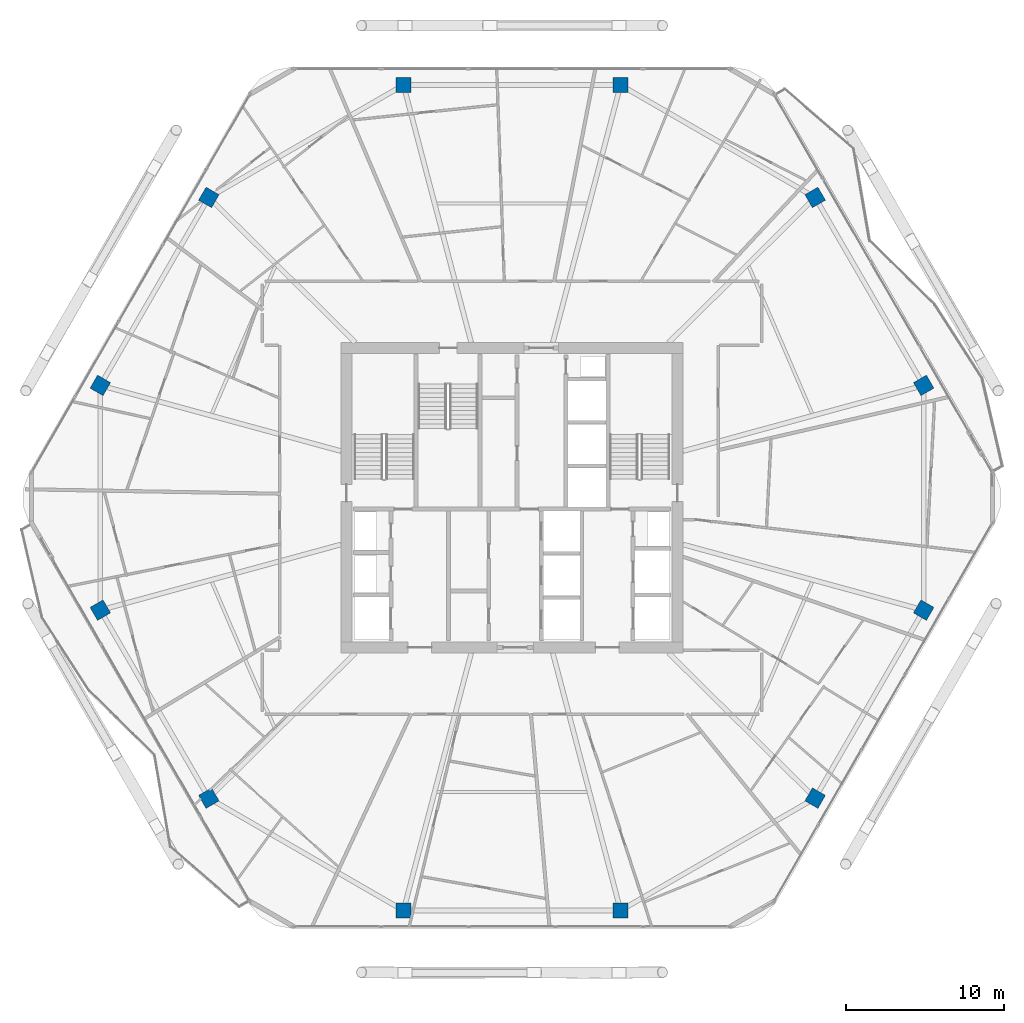
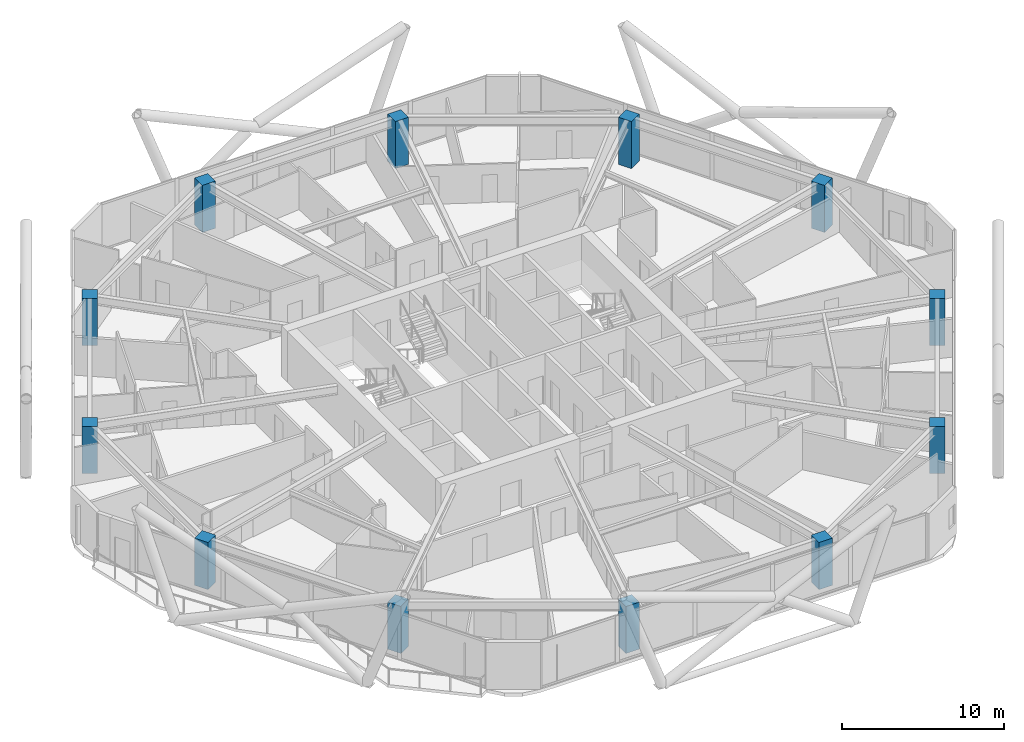
# One storey, part 1 of 27: 12 columns.
"""IFC4 building model written with IfcOpenShell, lengths in metres."""

from ifc_helpers import new_model, si_unit, direction, frame, origin, origin_2d, place, context, subcontext, project, spatial, rectangle, extrude, material, material_profile, profile_set, type_object, element, save


model = new_model("IFC4")

# Units and contexts
model_context = context("Model", 3, precision=1e-05, world=origin(), true_north=direction((0.0, 1.0)))
body_context = subcontext(model_context, "Body", "Model", "MODEL_VIEW")
ifc_project = project(units=[si_unit("LENGTHUNIT", "METRE"), si_unit("AREAUNIT", "SQUARE_METRE"), si_unit("VOLUMEUNIT", "CUBIC_METRE"), si_unit("PLANEANGLEUNIT", "RADIAN"), si_unit("MASSUNIT", "GRAM", prefix="KILO")], contexts=[model_context])

# Site, building, storey
site_placement = place(None, origin())
site = spatial("IfcSite", under=ifc_project, at=site_placement, CompositionType="ELEMENT")
building_placement = place(site_placement, origin())
building = spatial("IfcBuilding", under=site, at=building_placement, Name="Zuhravey Tower", CompositionType="ELEMENT")
storey_placement = place(building_placement, frame((0.0, 0.0, 215.0)))
storey = spatial("IfcBuildingStorey", under=building, at=storey_placement, Name="L54", CompositionType="ELEMENT", Elevation=215.0)

# Columns
ifc_material = material(Name="Concrete C50/60", Category="concrete")
ifc_material_profile = material_profile(ifc_material, rectangle(XDim=0.949951171875, YDim=0.949951171875, at=origin_2d()), Name="RC-950x950")
ifc_profile_set = profile_set([ifc_material_profile], Name="Concrete C50/60")
column_type = type_object("IfcColumnType", Name="Zone 2 Upper Column 950x950", PredefinedType="COLUMN", material=ifc_profile_set)
for number, where, z_axis, x_axis, name in (
    (1, (62.107666015625, 39.12646484375, 0.0), (0.0, 0.0, 1.0), (-0.5, 0.866025403784, 0.0), "L54 Perimeter Column PC01"),
    (2, (55.2255859375, 51.046630859375, 0.0), (0.0, 0.0, 1.0), (-0.5, 0.866025403784, 0.0), "L54 Perimeter Column PC02"),
    (3, (42.882080078125, 58.173095703125, 0.0), (0.0, 0.0, 1.0), (-1.0, 0.0, 0.0), "L54 Perimeter Column PC03"),
    (4, (29.117919921875, 58.173095703125, 0.0), (0.0, 0.0, 1.0), (-1.0, 0.0, 0.0), "L54 Perimeter Column PC04"),
    (5, (16.7744140625, 51.046630859375, 0.0), (0.0, 0.0, 1.0), (-0.5, -0.866025403784, 0.0), "L54 Perimeter Column PC05"),
    (6, (9.892333984375, 39.12646484375, 0.0), (0.0, 0.0, 1.0), (-0.5, -0.866025403784, 0.0), "L54 Perimeter Column PC06"),
    (7, (9.892333984375, 24.87353515625, 0.0), (0.0, 0.0, 1.0), (0.5, -0.866025403784, 0.0), "L54 Perimeter Column PC07"),
    (8, (16.7744140625, 12.953369140625, 0.0), (0.0, 0.0, 1.0), (0.5, -0.866025403784, 0.0), "L54 Perimeter Column PC08"),
    (9, (29.117919921875, 5.826904296875, 0.0), (0.0, 0.0, 1.0), (1.0, 0.0, 0.0), "L54 Perimeter Column PC09"),
    (10, (42.882080078125, 5.826904296875, 0.0), (0.0, 0.0, 1.0), (1.0, 0.0, 0.0), "L54 Perimeter Column PC10"),
    (11, (55.2255859375, 12.953369140625, 0.0), (0.0, 0.0, 1.0), (0.5, 0.866025403784, 0.0), "L54 Perimeter Column PC11"),
    (12, (62.107666015625, 24.87353515625, 0.0), (0.0, 0.0, 1.0), (0.5, 0.866025403784, 0.0), "L54 Perimeter Column PC12"),
):
    element("IfcColumn", number, at=place(storey_placement, frame(where, z_axis=z_axis, x_axis=x_axis)), inside=storey, type_object=column_type, Name=name, PredefinedType="COLUMN", context=body_context, shape_type="SweptSolid", body=[
        extrude(rectangle(XDim=0.949951171875, YDim=0.949951171875, at=origin_2d()), origin(), (0.0, 0.0, 1.0), 3.550048828125),
    ])

save(model, "model.ifc")
